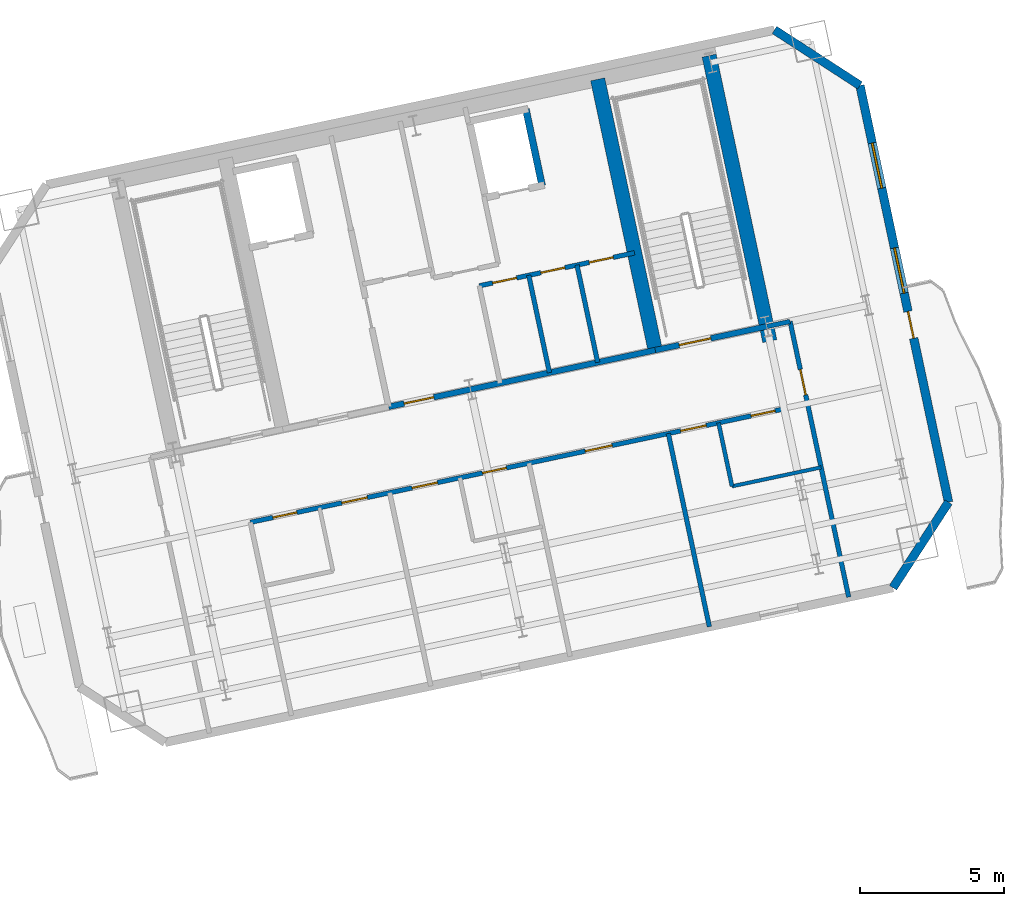
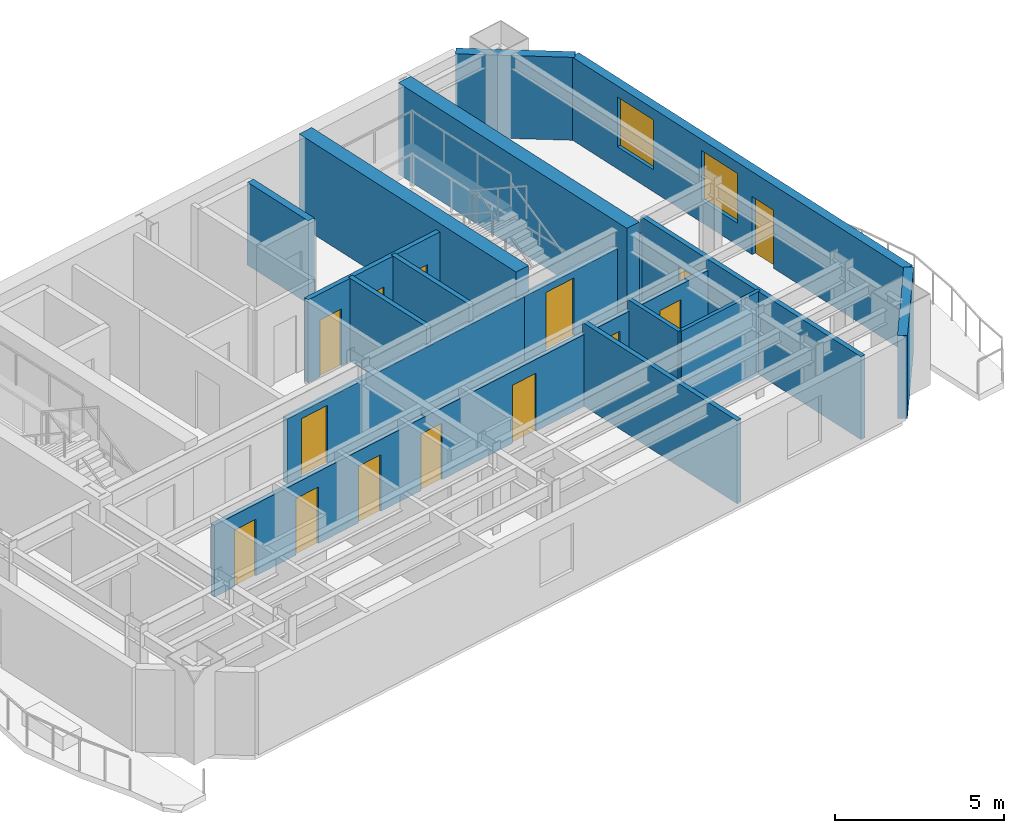
# One storey, part 8 of 13: 17 walls, 14 doors, 2 windows, 16 openings.
"""IFC4 building model written with IfcOpenShell, lengths in metres."""

from ifc_helpers import new_model, si_unit, direction, frame, frame_2d, origin, place, context, subcontext, project, spatial, rectangle, extrude, material, layer, layer_set, type_object, element, fill, save


model = new_model("IFC4")

# Units and contexts
model_context = context("Model", 3, precision=1e-05, world=origin(), true_north=direction((0.0, 1.0)))
body_context = subcontext(model_context, "Body", "Model", "MODEL_VIEW")
ifc_project = project(units=[si_unit("LENGTHUNIT", "METRE"), si_unit("AREAUNIT", "SQUARE_METRE"), si_unit("VOLUMEUNIT", "CUBIC_METRE"), si_unit("PLANEANGLEUNIT", "RADIAN"), si_unit("MASSUNIT", "GRAM", prefix="KILO")], contexts=[model_context])

# Site, building, storey
site_placement = place(None, origin())
site = spatial("IfcSite", under=ifc_project, at=site_placement, CompositionType="ELEMENT")
building_placement = place(site_placement, origin())
building = spatial("IfcBuilding", under=site, at=building_placement, Name="Haevon Station Towers", CompositionType="ELEMENT")
storey_placement = place(building_placement, frame((0.0, 0.0, 189.0)))
storey = spatial("IfcBuildingStorey", under=building, at=storey_placement, Name="L52", CompositionType="ELEMENT", Elevation=189.0)

# Wall, opening, door
ifc_material_1 = material(Name="Gypsum board on steel stud", Category="steel")
ifc_layer_1 = layer(ifc_material_1, 0.199951171875)
ifc_layer_set_1 = layer_set([ifc_layer_1], Name="Gypsum board on steel stud")
wall_type_1 = type_object("IfcWallType", Name="WL-COR200", PredefinedType="PARTITIONING", material=ifc_layer_set_1)
wall_1_placement = place(storey_placement, frame((115.4296875, 40.9873046875, 0.0), z_axis=(0.0, 0.0, 1.0), x_axis=(0.978146596989, 0.207916413008, 0.0)))
wall_1 = element("IfcWall", 1, at=wall_1_placement, inside=storey, type_object=wall_type_1, Name="WL-ST-ST4-L52", PredefinedType="PARTITIONING", context=body_context, shape_type="SweptSolid", body=[
    extrude(rectangle(XDim=3.9501953125, YDim=0.199951171875, at=frame_2d((1.97509765625, 0.0))), origin(), (0.0, 0.0, 1.0), 2.35009765625),
])
opening_1_placement = place(wall_1_placement, frame((0.85009765625, 0.0, 0.0)))
opening_1 = element("IfcOpeningElement", 2, at=opening_1_placement, cuts=wall_1, Name="Opening DR-ST-ST4-L52", PredefinedType="OPENING", context=body_context, shape_type="SweptSolid", body=[
    extrude(rectangle(XDim=1.1201171875, YDim=2.10009765625, at=frame_2d((0.56005859375, 1.050048828125))), frame((0.0, 0.10986328125, 0.0), z_axis=(0.0, -1.0, 0.0), x_axis=(1.0, 0.0, 0.0)), (0.0, 0.0, 1.0), 0.219970703125),
])
ifc_material_2 = material(Name="Engineered oak timber", Category="wood")
door_type_1 = type_object("IfcDoorType", Name="DR-ST-1120", OperationType="NOTDEFINED", PredefinedType="DOOR", material=ifc_material_2)
door_1_placement = place(opening_1_placement, origin())
door_1 = element("IfcDoor", 3, at=door_1_placement, inside=storey, type_object=door_type_1, Name="L52 Escape Stair ST4 Fire Door", OperationType="SINGLE_SWING_LEFT", OverallHeight=2.10009765625, OverallWidth=1.1201171875, PredefinedType="DOOR", context=body_context, shape_type="SweptSolid", body=[
    extrude(rectangle(XDim=1.1201171875, YDim=2.10009765625, at=frame_2d((0.56005859375, 1.050048828125))), frame((0.0, 0.02490234375, 0.0), z_axis=(0.0, -1.0, 0.0), x_axis=(1.0, 0.0, 0.0)), (0.0, 0.0, 1.0), 0.050048828125),
])
fill(opening_1, door_1)

wall_2_placement = place(storey_placement, frame((106.186279296875, 39.0224609375, 0.0), z_axis=(0.0, 0.0, 1.0), x_axis=(0.978145519981, 0.20792147975, 0.0)))
wall_2 = element("IfcWall", 4, at=wall_2_placement, inside=storey, type_object=wall_type_1, Name="WL-T2CLB-L52", PredefinedType="PARTITIONING", context=body_context, shape_type="SweptSolid", body=[
    extrude(rectangle(XDim=9.449951171875, YDim=0.199951171875, at=frame_2d((4.72509765625, 0.0))), origin(), (0.0, 0.0, 1.0), 2.35009765625),
])
opening_2_placement = place(wall_2_placement, frame((0.550048828125, 0.0, 0.0)))
opening_2 = element("IfcOpeningElement", 5, at=opening_2_placement, cuts=wall_2, Name="Opening DR-T2CLB-L52-1", PredefinedType="OPENING", context=body_context, shape_type="SweptSolid", body=[
    extrude(rectangle(XDim=1.050048828125, YDim=2.10009765625, at=frame_2d((0.52490234375, 1.050048828125))), frame((0.0, 0.10986328125, 0.0), z_axis=(0.0, -1.0, 0.0), x_axis=(1.0, 0.0, 0.0)), (0.0, 0.0, 1.0), 0.219970703125),
])
door_type_2 = type_object("IfcDoorType", Name="DR-FD60-1050", OperationType="NOTDEFINED", PredefinedType="DOOR", material=ifc_material_2)
door_2_placement = place(opening_2_placement, origin())
door_2 = element("IfcDoor", 6, at=door_2_placement, inside=storey, type_object=door_type_2, Name="L52 Tower 2 Core Lift Lobby Door 1", OperationType="SINGLE_SWING_RIGHT", OverallHeight=2.10009765625, OverallWidth=1.050048828125, PredefinedType="DOOR", context=body_context, shape_type="SweptSolid", body=[
    extrude(rectangle(XDim=1.050048828125, YDim=2.10009765625, at=frame_2d((0.52490234375, 1.050048828125))), frame((0.0, 0.02490234375, 0.0), z_axis=(0.0, -1.0, 0.0), x_axis=(1.0, 0.0, 0.0)), (0.0, 0.0, 1.0), 0.050048828125),
])
fill(opening_2, door_2)

# Walls
ifc_material_3 = material(Name="Concrete C60/75", Category="concrete")
ifc_layer_2 = layer(ifc_material_3, 0.5)
ifc_layer_set_2 = layer_set([ifc_layer_2], Name="Concrete C60/75")
wall_type_2 = type_object("IfcWallType", Name="WL-CR500", PredefinedType="SHEAR", material=ifc_layer_set_2)
wall_3_placement = place(storey_placement, frame((119.401611328125, 41.2998046875, 0.0), z_axis=(0.0, 0.0, 1.0), x_axis=(-0.207904342798, 0.978149162575, 0.0)))
element("IfcWall", 7, at=wall_3_placement, inside=storey, type_object=wall_type_2, Name="WL-T2CR-L52-E", PredefinedType="SHEAR", context=body_context, shape_type="SweptSolid", body=[
    extrude(rectangle(XDim=10.1201171875, YDim=0.5, at=frame_2d((5.06005859375, 0.0))), origin(), (0.0, 0.0, 1.0), 3.300048828125),
])
wall_4_placement = place(storey_placement, frame((115.4296875, 40.9873046875, 0.0), z_axis=(0.0, 0.0, 1.0), x_axis=(-0.207903162969, 0.978149413345, 0.0)))
element("IfcWall", 8, at=wall_4_placement, inside=storey, type_object=wall_type_2, Name="WL-T2CR-L52-M2", PredefinedType="SHEAR", context=body_context, shape_type="SweptSolid", body=[
    extrude(rectangle(XDim=9.599853515625, YDim=0.5, at=frame_2d((4.7998046875, 0.0))), origin(), (0.0, 0.0, 1.0), 3.300048828125),
])
ifc_material_4 = material(Name="Precast concrete C45/55", Category="concrete")
ifc_layer_3 = layer(ifc_material_4, 0.300048828125)
ifc_layer_set_3 = layer_set([ifc_layer_3], Name="Precast concrete C45/55")
wall_type_3 = type_object("IfcWallType", Name="WL-EXT-PIER300", PredefinedType="SOLIDWALL", material=ifc_layer_set_3)
wall_5_placement = place(storey_placement, frame((119.561767578125, 52.089111328125, 0.0), z_axis=(0.0, 0.0, 1.0), x_axis=(0.838661251934, -0.544653380146, 0.0)))
element("IfcWall", 9, at=wall_5_placement, inside=storey, type_object=wall_type_3, Name="WL-T2-L52-NEC", PredefinedType="SOLIDWALL", context=body_context, shape_type="SweptSolid", body=[
    extrude(rectangle(XDim=3.535888671875, YDim=0.300048828125, at=frame_2d((1.76806640625, 0.0))), origin(), (0.0, 0.0, 1.0), 3.0),
])

# Wall, openings, door, windows
wall_6_placement = place(storey_placement, frame((122.527099609375, 50.163330078125, 0.0), z_axis=(0.0, 0.0, 1.0), x_axis=(0.207911144611, -0.978147716834, 0.0)))
wall_6 = element("IfcWall", 10, at=wall_6_placement, inside=storey, type_object=wall_type_3, Name="WL-T2-L52-E", PredefinedType="SOLIDWALL", context=body_context, shape_type="SweptSolid", body=[
    extrude(rectangle(XDim=14.769775390625, YDim=0.300048828125, at=frame_2d((7.384765625, 0.0))), origin(), (0.0, 0.0, 1.0), 3.0),
])
opening_3_placement = place(wall_6_placement, frame((8.010009765625, 0.0, 0.0)))
opening_3 = element("IfcOpeningElement", 11, at=opening_3_placement, cuts=wall_6, Name="Opening DR-T2-SCAL-L52-E", PredefinedType="OPENING", context=body_context, shape_type="SweptSolid", body=[
    extrude(rectangle(XDim=0.949951171875, YDim=2.10009765625, at=frame_2d((0.47509765625, 1.050048828125))), frame((0.0, 0.159912109375, 0.0), z_axis=(0.0, -1.0, 0.0), x_axis=(1.0, 0.0, 0.0)), (0.0, 0.0, 1.0), 0.320068359375),
])
opening_4_placement = place(wall_6_placement, frame((2.03955078125, 0.0, 0.800048828125)))
opening_4 = element("IfcOpeningElement", 12, at=opening_4_placement, cuts=wall_6, Name="Opening WN-END160", PredefinedType="OPENING", context=body_context, shape_type="SweptSolid", body=[
    extrude(rectangle(XDim=1.60009765625, YDim=1.800048828125, at=frame_2d((0.800048828125, 0.89990234375))), frame((0.0, 0.159912109375, 0.0), z_axis=(0.0, -1.0, 0.0), x_axis=(1.0, 0.0, 0.0)), (0.0, 0.0, 1.0), 0.320068359375),
])
opening_5_placement = place(wall_6_placement, frame((5.758544921875, 0.0, 0.800048828125)))
opening_5 = element("IfcOpeningElement", 13, at=opening_5_placement, cuts=wall_6, Name="Opening WN-END160", PredefinedType="OPENING", context=body_context, shape_type="SweptSolid", body=[
    extrude(rectangle(XDim=1.60009765625, YDim=1.800048828125, at=frame_2d((0.800048828125, 0.89990234375))), frame((0.0, 0.159912109375, 0.0), z_axis=(0.0, -1.0, 0.0), x_axis=(1.0, 0.0, 0.0)), (0.0, 0.0, 1.0), 0.320068359375),
])
ifc_material_5 = material(Name="Thermally broken anodised aluminium and laminated safety glass", Category="aluminium")
door_type_3 = type_object("IfcDoorType", Name="DR-BALC-950", OperationType="NOTDEFINED", PredefinedType="DOOR", material=ifc_material_5)
door_3_placement = place(opening_3_placement, origin())
door_3 = element("IfcDoor", 14, at=door_3_placement, inside=storey, type_object=door_type_3, Name="Tower 2 L52 East Scalloped Balcony Door", OperationType="SINGLE_SWING_LEFT", OverallHeight=2.10009765625, OverallWidth=0.949951171875, PredefinedType="DOOR", context=body_context, shape_type="SweptSolid", body=[
    extrude(rectangle(XDim=0.949951171875, YDim=2.10009765625, at=frame_2d((0.47509765625, 1.050048828125))), frame((0.0, 0.02490234375, 0.0), z_axis=(0.0, -1.0, 0.0), x_axis=(1.0, 0.0, 0.0)), (0.0, 0.0, 1.0), 0.050048828125),
])
fill(opening_3, door_3)
ifc_material_6 = material(Name="Low-E triple glazing in thermally broken aluminium", Category="aluminium")
window_type = type_object("IfcWindowType", Name="WN-END160", PartitioningType="SINGLE_PANEL", PredefinedType="WINDOW", material=ifc_material_6)
window_1_placement = place(opening_4_placement, origin())
window_1 = element("IfcWindow", 15, at=window_1_placement, inside=storey, type_object=window_type, Name="WN-T2-L52-E01", OverallHeight=1.800048828125, OverallWidth=1.60009765625, PartitioningType="SINGLE_PANEL", PredefinedType="WINDOW", context=body_context, shape_type="SweptSolid", body=[
    extrude(rectangle(XDim=1.60009765625, YDim=1.800048828125, at=frame_2d((0.800048828125, 0.89990234375))), frame((0.0, 0.030029296875, 0.0), z_axis=(0.0, -1.0, 0.0), x_axis=(1.0, 0.0, 0.0)), (0.0, 0.0, 1.0), 0.06005859375),
])
fill(opening_4, window_1)
window_2_placement = place(opening_5_placement, origin())
window_2 = element("IfcWindow", 16, at=window_2_placement, inside=storey, type_object=window_type, Name="WN-T2-L52-E02", OverallHeight=1.800048828125, OverallWidth=1.60009765625, PartitioningType="SINGLE_PANEL", PredefinedType="WINDOW", context=body_context, shape_type="SweptSolid", body=[
    extrude(rectangle(XDim=1.60009765625, YDim=1.800048828125, at=frame_2d((0.800048828125, 0.89990234375))), frame((0.0, 0.030029296875, 0.0), z_axis=(0.0, -1.0, 0.0), x_axis=(1.0, 0.0, 0.0)), (0.0, 0.0, 1.0), 0.06005859375),
])
fill(opening_5, window_2)

# Walls
wall_7_placement = place(storey_placement, frame((125.597900390625, 35.71630859375, 0.0), z_axis=(0.0, 0.0, 1.0), x_axis=(-0.544604812064, -0.838692791597, 0.0)))
element("IfcWall", 17, at=wall_7_placement, inside=storey, type_object=wall_type_3, Name="WL-T2-L52-SEC", PredefinedType="SOLIDWALL", context=body_context, shape_type="SweptSolid", body=[
    extrude(rectangle(XDim=3.53564453125, YDim=0.300048828125, at=frame_2d((1.767822265625, 0.0))), origin(), (0.0, 0.0, 1.0), 3.0),
])
ifc_layer_4 = layer(ifc_material_1, 0.125)
ifc_layer_set_4 = layer_set([ifc_layer_4], Name="Gypsum board on steel stud")
wall_type_4 = type_object("IfcWallType", Name="WL-PRT125", PredefinedType="PARTITIONING", material=ifc_layer_set_4)
wall_8_placement = place(storey_placement, frame((118.091796875, 36.267578125, 0.0), z_axis=(0.0, 0.0, 1.0), x_axis=(0.978145092575, 0.207923490429, 0.0)))
element("IfcWall", 18, at=wall_8_placement, inside=storey, type_object=wall_type_4, Name="WL-T2PT-L52-13", PredefinedType="PARTITIONING", context=body_context, shape_type="SweptSolid", body=[
    extrude(rectangle(XDim=3.157470703125, YDim=0.125, at=frame_2d((1.57861328125, 0.0))), origin(), (0.0, 0.0, 1.0), 3.0),
])
ifc_layer_5 = layer(ifc_material_1, 0.139892578125)
ifc_layer_set_5 = layer_set([ifc_layer_5], Name="Gypsum board on steel stud")
wall_type_5 = type_object("IfcWallType", Name="WL-PRT140", PredefinedType="PARTITIONING", material=ifc_layer_set_5)
wall_9_placement = place(storey_placement, frame((118.091796875, 36.267578125, 0.0), z_axis=(0.0, 0.0, 1.0), x_axis=(-0.207891197838, 0.978151956427, 0.0)))
element("IfcWall", 19, at=wall_9_placement, inside=storey, type_object=wall_type_5, Name="WL-T2PT-L52-14", PredefinedType="PARTITIONING", context=body_context, shape_type="SweptSolid", body=[
    extrude(rectangle(XDim=2.25, YDim=0.139892578125, at=frame_2d((1.125, 0.0))), origin(), (0.0, 0.0, 1.0), 3.0),
])
ifc_layer_6 = layer(ifc_material_1, 0.159912109375)
ifc_layer_set_6 = layer_set([ifc_layer_6], Name="Gypsum board on steel stud")
wall_type_6 = type_object("IfcWallType", Name="WL-PRT160", PredefinedType="PARTITIONING", material=ifc_layer_set_6)
wall_10_placement = place(storey_placement, frame((111.76171875, 40.20751953125, 0.0), z_axis=(0.0, 0.0, 1.0), x_axis=(-0.207900225061, 0.978150037785, 0.0)))
element("IfcWall", 20, at=wall_10_placement, inside=storey, type_object=wall_type_6, Name="WL-T2CW-L52-08", PredefinedType="PARTITIONING", context=body_context, shape_type="SweptSolid", body=[
    extrude(rectangle(XDim=3.4501953125, YDim=0.159912109375, at=frame_2d((1.72509765625, 0.0))), origin(), (0.0, 0.0, 1.0), 3.0),
])
wall_11_placement = place(storey_placement, frame((113.434326171875, 40.563232421875, 0.0), z_axis=(0.0, 0.0, 1.0), x_axis=(-0.207914616127, 0.978146978935, 0.0)))
element("IfcWall", 21, at=wall_11_placement, inside=storey, type_object=wall_type_6, Name="WL-T2CW-L52-09", PredefinedType="PARTITIONING", context=body_context, shape_type="SweptSolid", body=[
    extrude(rectangle(XDim=3.449951171875, YDim=0.159912109375, at=frame_2d((1.72509765625, 0.0))), origin(), (0.0, 0.0, 1.0), 3.0),
])

# Wall, openings, doors
wall_12_placement = place(storey_placement, frame((109.332763671875, 43.218505859375, 0.0), z_axis=(0.0, 0.0, 1.0), x_axis=(0.978153773776, 0.207882646816, 0.0)))
wall_12 = element("IfcWall", 22, at=wall_12_placement, inside=storey, type_object=wall_type_6, Name="WL-T2CW-L52-10", PredefinedType="PARTITIONING", context=body_context, shape_type="SweptSolid", body=[
    extrude(rectangle(XDim=5.499755859375, YDim=0.159912109375, at=frame_2d((2.75, 0.0))), origin(), (0.0, 0.0, 1.0), 3.0),
])
opening_6_placement = place(wall_12_placement, frame((0.469970703125, 0.0, 0.0)))
opening_6 = element("IfcOpeningElement", 23, at=opening_6_placement, cuts=wall_12, Name="Opening DR-WL-T2CW-L52-10-1", PredefinedType="OPENING", context=body_context, shape_type="SweptSolid", body=[
    extrude(rectangle(XDim=0.85009765625, YDim=2.050048828125, at=frame_2d((0.425048828125, 1.02490234375))), frame((0.0, 0.08984375, 0.0), z_axis=(0.0, -1.0, 0.0), x_axis=(1.0, 0.0, 0.0)), (0.0, 0.0, 1.0), 0.179931640625),
])
opening_7_placement = place(wall_12_placement, frame((2.179931640625, 0.0, 0.0)))
opening_7 = element("IfcOpeningElement", 24, at=opening_7_placement, cuts=wall_12, Name="Opening DR-WL-T2CW-L52-10-2", PredefinedType="OPENING", context=body_context, shape_type="SweptSolid", body=[
    extrude(rectangle(XDim=0.85009765625, YDim=2.050048828125, at=frame_2d((0.425048828125, 1.02490234375))), frame((0.0, 0.08984375, 0.0), z_axis=(0.0, -1.0, 0.0), x_axis=(1.0, 0.0, 0.0)), (0.0, 0.0, 1.0), 0.179931640625),
])
opening_8_placement = place(wall_12_placement, frame((3.89501953125, 0.0, 0.0)))
opening_8 = element("IfcOpeningElement", 25, at=opening_8_placement, cuts=wall_12, Name="Opening DR-WL-T2CW-L52-10-3", PredefinedType="OPENING", context=body_context, shape_type="SweptSolid", body=[
    extrude(rectangle(XDim=0.85009765625, YDim=2.050048828125, at=frame_2d((0.425048828125, 1.02490234375))), frame((0.0, 0.08984375, 0.0), z_axis=(0.0, -1.0, 0.0), x_axis=(1.0, 0.0, 0.0)), (0.0, 0.0, 1.0), 0.179931640625),
])
door_type_4 = type_object("IfcDoorType", Name="DR-FD30-850", OperationType="NOTDEFINED", PredefinedType="DOOR", material=ifc_material_2)
door_4_placement = place(opening_6_placement, origin())
door_4 = element("IfcDoor", 26, at=door_4_placement, inside=storey, type_object=door_type_4, Name="L52 Tower 2 Core Room Door 10-1", OperationType="SINGLE_SWING_LEFT", OverallHeight=2.050048828125, OverallWidth=0.85009765625, PredefinedType="DOOR", context=body_context, shape_type="SweptSolid", body=[
    extrude(rectangle(XDim=0.85009765625, YDim=2.050048828125, at=frame_2d((0.425048828125, 1.02490234375))), frame((0.0, 0.02490234375, 0.0), z_axis=(0.0, -1.0, 0.0), x_axis=(1.0, 0.0, 0.0)), (0.0, 0.0, 1.0), 0.050048828125),
])
fill(opening_6, door_4)
door_5_placement = place(opening_7_placement, origin())
door_5 = element("IfcDoor", 27, at=door_5_placement, inside=storey, type_object=door_type_4, Name="L52 Tower 2 Core Room Door 10-2", OperationType="SINGLE_SWING_RIGHT", OverallHeight=2.050048828125, OverallWidth=0.85009765625, PredefinedType="DOOR", context=body_context, shape_type="SweptSolid", body=[
    extrude(rectangle(XDim=0.85009765625, YDim=2.050048828125, at=frame_2d((0.425048828125, 1.02490234375))), frame((0.0, 0.02490234375, 0.0), z_axis=(0.0, -1.0, 0.0), x_axis=(1.0, 0.0, 0.0)), (0.0, 0.0, 1.0), 0.050048828125),
])
fill(opening_7, door_5)
door_6_placement = place(opening_8_placement, origin())
door_6 = element("IfcDoor", 28, at=door_6_placement, inside=storey, type_object=door_type_4, Name="L52 Tower 2 Core Room Door 10-3", OperationType="SINGLE_SWING_LEFT", OverallHeight=2.050048828125, OverallWidth=0.85009765625, PredefinedType="DOOR", context=body_context, shape_type="SweptSolid", body=[
    extrude(rectangle(XDim=0.85009765625, YDim=2.050048828125, at=frame_2d((0.425048828125, 1.02490234375))), frame((0.0, 0.02490234375, 0.0), z_axis=(0.0, -1.0, 0.0), x_axis=(1.0, 0.0, 0.0)), (0.0, 0.0, 1.0), 0.050048828125),
])
fill(opening_8, door_6)

# Wall
wall_13_placement = place(storey_placement, frame((119.29345703125, 41.80859375, 0.0), z_axis=(0.0, 0.0, 1.0), x_axis=(0.978132675688, 0.207981895251, 0.0)))
element("IfcWall", 29, at=wall_13_placement, inside=storey, type_object=wall_type_6, Name="WL-T2PT-L52-03", PredefinedType="PARTITIONING", context=body_context, shape_type="SweptSolid", body=[
    extrude(rectangle(XDim=0.829833984375, YDim=0.159912109375, at=frame_2d((0.4150390625, 0.0))), origin(), (0.0, 0.0, 1.0), 2.35009765625),
])

# Wall, opening, door
wall_14_placement = place(storey_placement, frame((122.13671875, 32.424560546875, 0.0), z_axis=(0.0, 0.0, 1.0), x_axis=(-0.207928090601, 0.978144114709, 0.0)))
wall_14 = element("IfcWall", 30, at=wall_14_placement, inside=storey, type_object=wall_type_6, Name="WL-T2PT-L52-05", PredefinedType="PARTITIONING", context=body_context, shape_type="SweptSolid", body=[
    extrude(rectangle(XDim=9.770263671875, YDim=0.159912109375, at=frame_2d((4.88525390625, 0.0))), origin(), (0.0, 0.0, 1.0), 3.0),
])
opening_9_placement = place(wall_14_placement, frame((7.169921875, 0.0, 0.0)))
opening_9 = element("IfcOpeningElement", 31, at=opening_9_placement, cuts=wall_14, Name="Opening DR-WL-T2PT-L52-05-01", PredefinedType="OPENING", context=body_context, shape_type="SweptSolid", body=[
    extrude(rectangle(XDim=0.89990234375, YDim=2.050048828125, at=frame_2d((0.449951171875, 1.02490234375))), frame((0.0, 0.08984375, 0.0), z_axis=(0.0, -1.0, 0.0), x_axis=(1.0, 0.0, 0.0)), (0.0, 0.0, 1.0), 0.179931640625),
])
door_type_5 = type_object("IfcDoorType", Name="DR-INT-900", OperationType="NOTDEFINED", PredefinedType="DOOR", material=ifc_material_2)
door_7_placement = place(opening_9_placement, origin())
door_7 = element("IfcDoor", 32, at=door_7_placement, inside=storey, type_object=door_type_5, Name="L52 Tower 2 Room Door 5-1", OperationType="SINGLE_SWING_LEFT", OverallHeight=2.050048828125, OverallWidth=0.89990234375, PredefinedType="DOOR", context=body_context, shape_type="SweptSolid", body=[
    extrude(rectangle(XDim=0.89990234375, YDim=2.050048828125, at=frame_2d((0.449951171875, 1.02490234375))), frame((0.0, 0.02490234375, 0.0), z_axis=(0.0, -1.0, 0.0), x_axis=(1.0, 0.0, 0.0)), (0.0, 0.0, 1.0), 0.050048828125),
])
fill(opening_9, door_7)

# Wall
wall_15_placement = place(storey_placement, frame((117.306884765625, 31.39794921875, 0.0), z_axis=(0.0, 0.0, 1.0), x_axis=(-0.207890725014, 0.978152056918, 0.0)))
element("IfcWall", 33, at=wall_15_placement, inside=storey, type_object=wall_type_6, Name="WL-T2PT-L52-12", PredefinedType="PARTITIONING", context=body_context, shape_type="SweptSolid", body=[
    extrude(rectangle(XDim=6.85009765625, YDim=0.159912109375, at=frame_2d((3.425048828125, 0.0))), origin(), (0.0, 0.0, 1.0), 3.0),
])

# Wall, openings, doors
wall_16_placement = place(storey_placement, frame((101.39404296875, 35.0185546875, 0.0), z_axis=(0.0, 0.0, 1.0), x_axis=(0.978145528215, 0.207921441014, 0.0)))
wall_16 = element("IfcWall", 34, at=wall_16_placement, inside=storey, type_object=wall_type_6, Name="WL-T2PT-L52-15", PredefinedType="PARTITIONING", context=body_context, shape_type="SweptSolid", body=[
    extrude(rectangle(XDim=19.75, YDim=0.159912109375, at=frame_2d((9.875, 0.0))), origin(), (0.0, 0.0, 1.0), 2.60009765625),
])
opening_10_placement = place(wall_16_placement, frame((0.800048828125, 0.0, 0.0)))
opening_10 = element("IfcOpeningElement", 35, at=opening_10_placement, cuts=wall_16, Name="Opening DR-WL-T2PT-L52-15-01", PredefinedType="OPENING", context=body_context, shape_type="SweptSolid", body=[
    extrude(rectangle(XDim=0.85009765625, YDim=2.050048828125, at=frame_2d((0.425048828125, 1.02490234375))), frame((0.0, 0.08984375, 0.0), z_axis=(0.0, -1.0, 0.0), x_axis=(1.0, 0.0, 0.0)), (0.0, 0.0, 1.0), 0.179931640625),
])
opening_11_placement = place(wall_16_placement, frame((3.243896484375, 0.0, 0.0)))
opening_11 = element("IfcOpeningElement", 36, at=opening_11_placement, cuts=wall_16, Name="Opening DR-WL-T2PT-L52-15-02", PredefinedType="OPENING", context=body_context, shape_type="SweptSolid", body=[
    extrude(rectangle(XDim=0.89990234375, YDim=2.050048828125, at=frame_2d((0.449951171875, 1.02490234375))), frame((0.0, 0.08984375, 0.0), z_axis=(0.0, -1.0, 0.0), x_axis=(1.0, 0.0, 0.0)), (0.0, 0.0, 1.0), 0.179931640625),
])
opening_12_placement = place(wall_16_placement, frame((8.22509765625, 0.0, 0.0)))
opening_12 = element("IfcOpeningElement", 37, at=opening_12_placement, cuts=wall_16, Name="Opening DR-WL-T2PT-L52-15-03", PredefinedType="OPENING", context=body_context, shape_type="SweptSolid", body=[
    extrude(rectangle(XDim=0.85009765625, YDim=2.050048828125, at=frame_2d((0.425048828125, 1.02490234375))), frame((0.0, 0.08984375, 0.0), z_axis=(0.0, -1.0, 0.0), x_axis=(1.0, 0.0, 0.0)), (0.0, 0.0, 1.0), 0.179931640625),
])
opening_13_placement = place(wall_16_placement, frame((5.73095703125, 0.0, 0.0)))
opening_13 = element("IfcOpeningElement", 38, at=opening_13_placement, cuts=wall_16, Name="Opening DR-WL-T2PT-L52-15-04", PredefinedType="OPENING", context=body_context, shape_type="SweptSolid", body=[
    extrude(rectangle(XDim=0.89990234375, YDim=2.050048828125, at=frame_2d((0.449951171875, 1.02490234375))), frame((0.0, 0.08984375, 0.0), z_axis=(0.0, -1.0, 0.0), x_axis=(1.0, 0.0, 0.0)), (0.0, 0.0, 1.0), 0.179931640625),
])
opening_14_placement = place(wall_16_placement, frame((11.868896484375, 0.0, 0.0)))
opening_14 = element("IfcOpeningElement", 39, at=opening_14_placement, cuts=wall_16, Name="Opening DR-WL-T2PT-L52-15-05", PredefinedType="OPENING", context=body_context, shape_type="SweptSolid", body=[
    extrude(rectangle(XDim=0.949951171875, YDim=2.10009765625, at=frame_2d((0.47509765625, 1.050048828125))), frame((0.0, 0.08984375, 0.0), z_axis=(0.0, -1.0, 0.0), x_axis=(1.0, 0.0, 0.0)), (0.0, 0.0, 1.0), 0.179931640625),
])
opening_15_placement = place(wall_16_placement, frame((17.74609375, 0.0, 0.0)))
opening_15 = element("IfcOpeningElement", 40, at=opening_15_placement, cuts=wall_16, Name="Opening DR-WL-T2PT-L52-15-06", PredefinedType="OPENING", context=body_context, shape_type="SweptSolid", body=[
    extrude(rectangle(XDim=0.85009765625, YDim=2.050048828125, at=frame_2d((0.425048828125, 1.02490234375))), frame((0.0, 0.08984375, 0.0), z_axis=(0.0, -1.0, 0.0), x_axis=(1.0, 0.0, 0.0)), (0.0, 0.0, 1.0), 0.179931640625),
])
opening_16_placement = place(wall_16_placement, frame((15.2529296875, 0.0, 0.0)))
opening_16 = element("IfcOpeningElement", 41, at=opening_16_placement, cuts=wall_16, Name="Opening DR-WL-T2PT-L52-15-07", PredefinedType="OPENING", context=body_context, shape_type="SweptSolid", body=[
    extrude(rectangle(XDim=0.89990234375, YDim=2.050048828125, at=frame_2d((0.449951171875, 1.02490234375))), frame((0.0, 0.08984375, 0.0), z_axis=(0.0, -1.0, 0.0), x_axis=(1.0, 0.0, 0.0)), (0.0, 0.0, 1.0), 0.179931640625),
])
door_8_placement = place(opening_10_placement, origin())
door_8 = element("IfcDoor", 42, at=door_8_placement, inside=storey, type_object=door_type_4, Name="L52 Tower 2 Room Door 15-1", OperationType="SINGLE_SWING_RIGHT", OverallHeight=2.050048828125, OverallWidth=0.85009765625, PredefinedType="DOOR", context=body_context, shape_type="SweptSolid", body=[
    extrude(rectangle(XDim=0.85009765625, YDim=2.050048828125, at=frame_2d((0.425048828125, 1.02490234375))), frame((0.0, 0.02490234375, 0.0), z_axis=(0.0, -1.0, 0.0), x_axis=(1.0, 0.0, 0.0)), (0.0, 0.0, 1.0), 0.050048828125),
])
fill(opening_10, door_8)
door_9_placement = place(opening_12_placement, origin())
door_9 = element("IfcDoor", 43, at=door_9_placement, inside=storey, type_object=door_type_4, Name="L52 Tower 2 Room Door 15-3", OperationType="SINGLE_SWING_RIGHT", OverallHeight=2.050048828125, OverallWidth=0.85009765625, PredefinedType="DOOR", context=body_context, shape_type="SweptSolid", body=[
    extrude(rectangle(XDim=0.85009765625, YDim=2.050048828125, at=frame_2d((0.425048828125, 1.02490234375))), frame((0.0, 0.02490234375, 0.0), z_axis=(0.0, -1.0, 0.0), x_axis=(1.0, 0.0, 0.0)), (0.0, 0.0, 1.0), 0.050048828125),
])
fill(opening_12, door_9)
door_10_placement = place(opening_15_placement, origin())
door_10 = element("IfcDoor", 44, at=door_10_placement, inside=storey, type_object=door_type_4, Name="L52 Tower 2 Room Door 15-6", OperationType="SINGLE_SWING_LEFT", OverallHeight=2.050048828125, OverallWidth=0.85009765625, PredefinedType="DOOR", context=body_context, shape_type="SweptSolid", body=[
    extrude(rectangle(XDim=0.85009765625, YDim=2.050048828125, at=frame_2d((0.425048828125, 1.02490234375))), frame((0.0, 0.02490234375, 0.0), z_axis=(0.0, -1.0, 0.0), x_axis=(1.0, 0.0, 0.0)), (0.0, 0.0, 1.0), 0.050048828125),
])
fill(opening_15, door_10)
door_type_6 = type_object("IfcDoorType", Name="DR-FD30-950", OperationType="NOTDEFINED", PredefinedType="DOOR", material=ifc_material_2)
door_11_placement = place(opening_14_placement, origin())
door_11 = element("IfcDoor", 45, at=door_11_placement, inside=storey, type_object=door_type_6, Name="L52 Tower 2 Room Door 15-5", OperationType="SINGLE_SWING_RIGHT", OverallHeight=2.10009765625, OverallWidth=0.949951171875, PredefinedType="DOOR", context=body_context, shape_type="SweptSolid", body=[
    extrude(rectangle(XDim=0.949951171875, YDim=2.10009765625, at=frame_2d((0.47509765625, 1.050048828125))), frame((0.0, 0.02490234375, 0.0), z_axis=(0.0, -1.0, 0.0), x_axis=(1.0, 0.0, 0.0)), (0.0, 0.0, 1.0), 0.050048828125),
])
fill(opening_14, door_11)
door_12_placement = place(opening_11_placement, origin())
door_12 = element("IfcDoor", 46, at=door_12_placement, inside=storey, type_object=door_type_5, Name="L52 Tower 2 Room Door 15-2", OperationType="SINGLE_SWING_LEFT", OverallHeight=2.050048828125, OverallWidth=0.89990234375, PredefinedType="DOOR", context=body_context, shape_type="SweptSolid", body=[
    extrude(rectangle(XDim=0.89990234375, YDim=2.050048828125, at=frame_2d((0.449951171875, 1.02490234375))), frame((0.0, 0.02490234375, 0.0), z_axis=(0.0, -1.0, 0.0), x_axis=(1.0, 0.0, 0.0)), (0.0, 0.0, 1.0), 0.050048828125),
])
fill(opening_11, door_12)
door_13_placement = place(opening_13_placement, origin())
door_13 = element("IfcDoor", 47, at=door_13_placement, inside=storey, type_object=door_type_5, Name="L52 Tower 2 Room Door 15-4", OperationType="SINGLE_SWING_LEFT", OverallHeight=2.050048828125, OverallWidth=0.89990234375, PredefinedType="DOOR", context=body_context, shape_type="SweptSolid", body=[
    extrude(rectangle(XDim=0.89990234375, YDim=2.050048828125, at=frame_2d((0.449951171875, 1.02490234375))), frame((0.0, 0.02490234375, 0.0), z_axis=(0.0, -1.0, 0.0), x_axis=(1.0, 0.0, 0.0)), (0.0, 0.0, 1.0), 0.050048828125),
])
fill(opening_13, door_13)
door_14_placement = place(opening_16_placement, origin())
door_14 = element("IfcDoor", 48, at=door_14_placement, inside=storey, type_object=door_type_5, Name="L52 Tower 2 Room Door 15-7", OperationType="SINGLE_SWING_RIGHT", OverallHeight=2.050048828125, OverallWidth=0.89990234375, PredefinedType="DOOR", context=body_context, shape_type="SweptSolid", body=[
    extrude(rectangle(XDim=0.89990234375, YDim=2.050048828125, at=frame_2d((0.449951171875, 1.02490234375))), frame((0.0, 0.02490234375, 0.0), z_axis=(0.0, -1.0, 0.0), x_axis=(1.0, 0.0, 0.0)), (0.0, 0.0, 1.0), 0.050048828125),
])
fill(opening_16, door_14)

# Wall
ifc_material_7 = material(Name="Concrete C40/50", Category="concrete")
ifc_layer_7 = layer(ifc_material_7, 0.239990234375)
ifc_layer_set_7 = layer_set([ifc_layer_7], Name="Concrete C40/50")
wall_type_7 = type_object("IfcWallType", Name="WL-SHF240", PredefinedType="PARTITIONING", material=ifc_layer_set_7)
wall_17_placement = place(storey_placement, frame((111.507080078125, 46.696533203125, 0.0), z_axis=(0.0, 0.0, 1.0), x_axis=(-0.207892282326, 0.978151725935, 0.0)))
element("IfcWall", 49, at=wall_17_placement, inside=storey, type_object=wall_type_7, Name="WL-SHF-PL9-L52-E", PredefinedType="PARTITIONING", context=body_context, shape_type="SweptSolid", body=[
    extrude(rectangle(XDim=2.699951171875, YDim=0.239990234375, at=frame_2d((1.35009765625, 0.0))), origin(), (0.0, 0.0, 1.0), 3.0),
])

save(model, "model.ifc")
